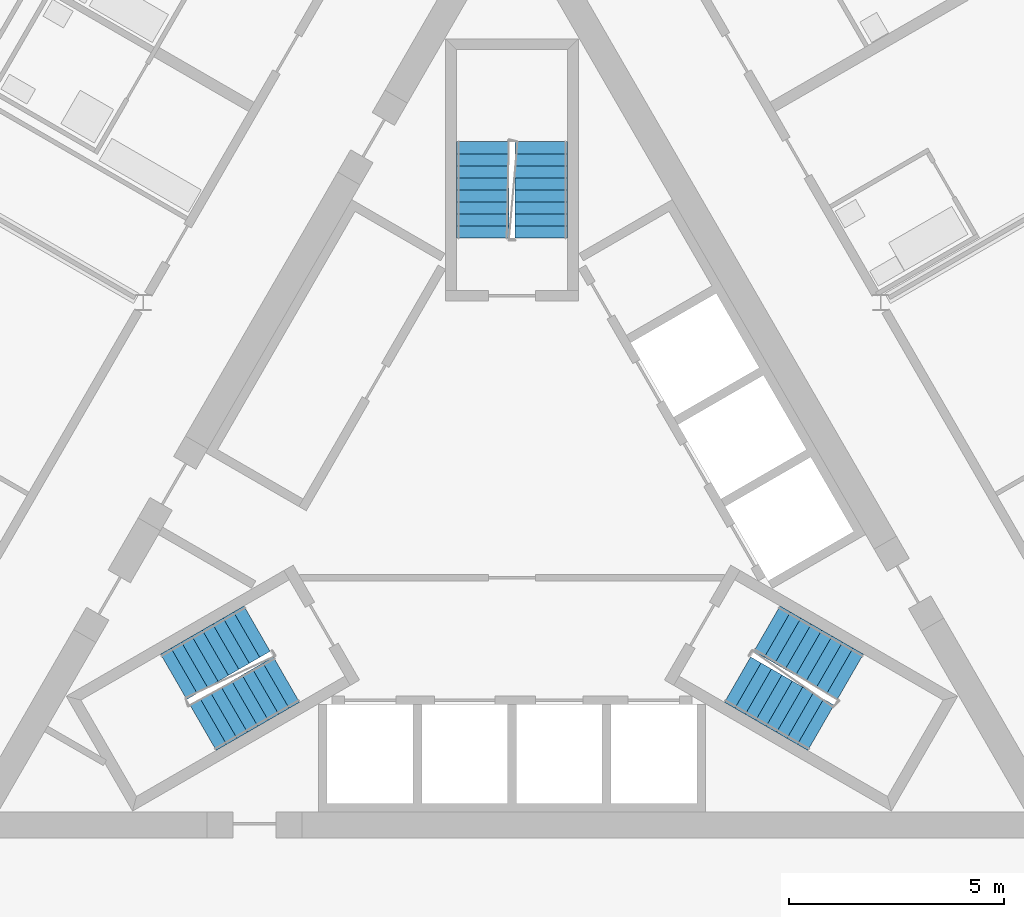
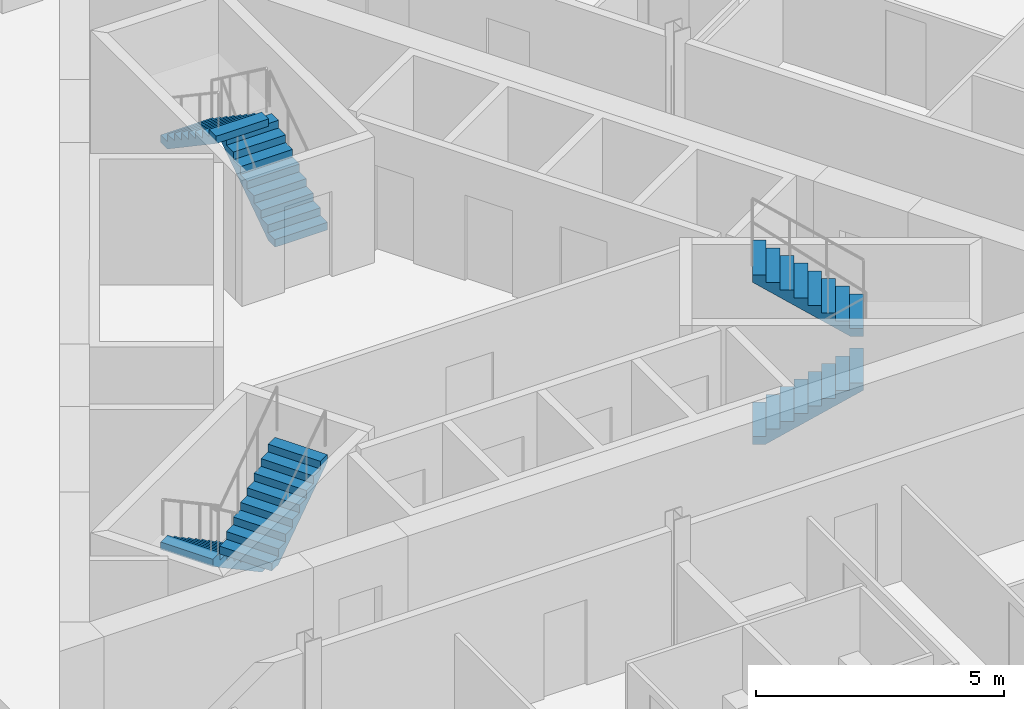
# One storey, part 18 of 26: 6 stair flights, 3 elements without a shape of their own.
"""IFC4 building model written with IfcOpenShell, lengths in metres."""

from ifc_helpers import new_model, si_unit, direction, frame, origin, place, context, subcontext, project, spatial, polyline, outline, extrude, material, type_object, element, aggregate, save


model = new_model("IFC4")

# Units and contexts
model_context = context("Model", 3, precision=1e-05, world=origin(), true_north=direction((0.0, 1.0)))
body_context = subcontext(model_context, "Body", "Model", "MODEL_VIEW")
ifc_project = project(units=[si_unit("LENGTHUNIT", "METRE"), si_unit("AREAUNIT", "SQUARE_METRE"), si_unit("VOLUMEUNIT", "CUBIC_METRE"), si_unit("PLANEANGLEUNIT", "RADIAN"), si_unit("MASSUNIT", "GRAM", prefix="KILO")], contexts=[model_context])

# Site, building, storey
site_placement = place(None, origin())
site = spatial("IfcSite", under=ifc_project, at=site_placement, CompositionType="ELEMENT")
building_placement = place(site_placement, origin())
building = spatial("IfcBuilding", under=site, at=building_placement, Name="Cormorant Prow Tower", CompositionType="ELEMENT")
storey_placement = place(building_placement, frame((0.0, 0.0, 398.39990234375)))
storey = spatial("IfcBuildingStorey", under=building, at=storey_placement, Name="L91", CompositionType="ELEMENT", Elevation=398.39990234375)

# Stair, stair flights
ifc_material_1 = material(Name="Exit stair 18 risers")
stair_type = type_object("IfcStairType", Name="Exit stair 18 risers", PredefinedType="HALF_TURN_STAIR", material=ifc_material_1)
stair_1_placement = place(storey_placement, origin())
stair_1 = element("IfcStair", 1, at=stair_1_placement, inside=storey, type_object=stair_type, Name="L91 Exit stair ST1", PredefinedType="HALF_TURN_STAIR")
ifc_material_2 = material(Name="Concrete 5000 psi", Category="concrete")
stair_flight_type = type_object("IfcStairFlightType", Name="Stair flight 1219", PredefinedType="STRAIGHT", material=ifc_material_2)
stair_flight_1_placement = place(storey_placement, frame((-5.93310546875, -2.635009765625, 0.0), z_axis=(0.0, 0.0, 1.0), x_axis=(-0.866025403784, -0.5, 0.0)))
stair_flight_1 = element("IfcStairFlight", 2, at=stair_flight_1_placement, type_object=stair_flight_type, Name="ST1 flight 1", NumberOfRisers=9, NumberOfTreads=8, PredefinedType="STRAIGHT", RiserHeight=0.188888889, TreadLength=0.28, context=body_context, shape_type="SweptSolid", body=[
    extrude(outline(polyline([(0.0, 0.0), (0.0, 0.18896484375), (0.280029296875, 0.18896484375), (0.280029296875, 0.377685546875), (0.56005859375, 0.377685546875), (0.56005859375, 0.566650390625), (0.840087890625, 0.566650390625), (0.840087890625, 0.755615234375), (1.1201171875, 0.755615234375), (1.1201171875, 0.9443359375), (1.39990234375, 0.9443359375), (1.39990234375, 1.13330078125), (1.679931640625, 1.13330078125), (1.679931640625, 1.322265625), (1.9599609375, 1.322265625), (1.9599609375, 1.51123046875), (2.239990234375, 1.51123046875), (2.239990234375, 1.699951171875), (2.239990234375, 1.330322265625), (0.26806640625, 0.0), (0.0, 0.0)])), frame((0.0, 0.609375, 0.0), z_axis=(0.0, -1.0, 0.0), x_axis=(1.0, 0.0, 0.0)), (0.0, 0.0, 1.0), 1.218994140625),
])
stair_flight_2_placement = place(storey_placement, frame((-7.1884765625, -4.940673828125, 1.7001953125), z_axis=(0.0, 0.0, 1.0), x_axis=(0.866025403784, 0.5, 0.0)))
stair_flight_2 = element("IfcStairFlight", 3, at=stair_flight_2_placement, type_object=stair_flight_type, Name="ST1 flight 2", NumberOfRisers=9, NumberOfTreads=8, PredefinedType="STRAIGHT", RiserHeight=0.188888889, TreadLength=0.28, context=body_context, shape_type="SweptSolid", body=[
    extrude(outline(polyline([(0.0, 0.0), (0.0, 0.18896484375), (0.280029296875, 0.18896484375), (0.280029296875, 0.377685546875), (0.56005859375, 0.377685546875), (0.56005859375, 0.566650390625), (0.840087890625, 0.566650390625), (0.840087890625, 0.755615234375), (1.1201171875, 0.755615234375), (1.1201171875, 0.9443359375), (1.39990234375, 0.9443359375), (1.39990234375, 1.13330078125), (1.679931640625, 1.13330078125), (1.679931640625, 1.322265625), (1.9599609375, 1.322265625), (1.9599609375, 1.51123046875), (2.239990234375, 1.51123046875), (2.239990234375, 1.699951171875), (2.239990234375, 1.330322265625), (0.26806640625, 0.0), (0.0, 0.0)])), frame((0.0, 0.609375, 0.0), z_axis=(0.0, -1.0, 0.0), x_axis=(1.0, 0.0, 0.0)), (0.0, 0.0, 1.0), 1.218994140625),
])
aggregate(stair_1, [stair_flight_1, stair_flight_2])

stair_2_placement = place(storey_placement, origin())
stair_2 = element("IfcStair", 4, at=stair_2_placement, inside=storey, type_object=stair_type, Name="L91 Exit stair ST2", PredefinedType="HALF_TURN_STAIR")
stair_flight_3_placement = place(storey_placement, frame((5.24853515625, -3.82080078125, 0.0), z_axis=(0.0, 0.0, 1.0), x_axis=(0.866025403784, -0.5, 0.0)))
stair_flight_3 = element("IfcStairFlight", 5, at=stair_flight_3_placement, type_object=stair_flight_type, Name="ST2 flight 1", NumberOfRisers=9, NumberOfTreads=8, PredefinedType="STRAIGHT", RiserHeight=0.188888889, TreadLength=0.28, context=body_context, shape_type="SweptSolid", body=[
    extrude(outline(polyline([(0.0, 0.0), (0.0, 0.18896484375), (0.280029296875, 0.18896484375), (0.280029296875, 0.377685546875), (0.56005859375, 0.377685546875), (0.56005859375, 0.566650390625), (0.840087890625, 0.566650390625), (0.840087890625, 0.755615234375), (1.1201171875, 0.755615234375), (1.1201171875, 0.9443359375), (1.39990234375, 0.9443359375), (1.39990234375, 1.13330078125), (1.679931640625, 1.13330078125), (1.679931640625, 1.322265625), (1.9599609375, 1.322265625), (1.9599609375, 1.51123046875), (2.239990234375, 1.51123046875), (2.239990234375, 1.699951171875), (2.239990234375, 1.330322265625), (0.26806640625, 0.0), (0.0, 0.0)])), frame((0.0, 0.609375, 0.0), z_axis=(0.0, -1.0, 0.0), x_axis=(1.0, 0.0, 0.0)), (0.0, 0.0, 1.0), 1.218994140625),
])
stair_flight_4_placement = place(storey_placement, frame((7.873046875, -3.755126953125, 1.7001953125), z_axis=(0.0, 0.0, 1.0), x_axis=(-0.866025403784, 0.5, 0.0)))
stair_flight_4 = element("IfcStairFlight", 6, at=stair_flight_4_placement, type_object=stair_flight_type, Name="ST2 flight 2", NumberOfRisers=9, NumberOfTreads=8, PredefinedType="STRAIGHT", RiserHeight=0.188888889, TreadLength=0.28, context=body_context, shape_type="SweptSolid", body=[
    extrude(outline(polyline([(0.0, 0.0), (0.0, 0.18896484375), (0.280029296875, 0.18896484375), (0.280029296875, 0.377685546875), (0.56005859375, 0.377685546875), (0.56005859375, 0.566650390625), (0.840087890625, 0.566650390625), (0.840087890625, 0.755615234375), (1.1201171875, 0.755615234375), (1.1201171875, 0.9443359375), (1.39990234375, 0.9443359375), (1.39990234375, 1.13330078125), (1.679931640625, 1.13330078125), (1.679931640625, 1.322265625), (1.9599609375, 1.322265625), (1.9599609375, 1.51123046875), (2.239990234375, 1.51123046875), (2.239990234375, 1.699951171875), (2.239990234375, 1.330322265625), (0.26806640625, 0.0), (0.0, 0.0)])), frame((0.0, 0.609375, 0.0), z_axis=(0.0, -1.0, 0.0), x_axis=(1.0, 0.0, 0.0)), (0.0, 0.0, 1.0), 1.218994140625),
])
aggregate(stair_2, [stair_flight_3, stair_flight_4])

stair_3_placement = place(storey_placement, origin())
stair_3 = element("IfcStair", 7, at=stair_3_placement, inside=storey, type_object=stair_type, Name="L91 Exit stair ST3", PredefinedType="HALF_TURN_STAIR")
stair_flight_5_placement = place(storey_placement, frame((0.6845703125, 6.455810546875, 0.0), z_axis=(0.0, 0.0, 1.0), x_axis=(0.0, 1.0, 0.0)))
stair_flight_5 = element("IfcStairFlight", 8, at=stair_flight_5_placement, type_object=stair_flight_type, Name="ST3 flight 1", NumberOfRisers=9, NumberOfTreads=8, PredefinedType="STRAIGHT", RiserHeight=0.188888889, TreadLength=0.28, context=body_context, shape_type="SweptSolid", body=[
    extrude(outline(polyline([(0.0, 0.0), (0.0, 0.18896484375), (0.280029296875, 0.18896484375), (0.280029296875, 0.377685546875), (0.56005859375, 0.377685546875), (0.56005859375, 0.566650390625), (0.840087890625, 0.566650390625), (0.840087890625, 0.755615234375), (1.1201171875, 0.755615234375), (1.1201171875, 0.9443359375), (1.39990234375, 0.9443359375), (1.39990234375, 1.13330078125), (1.679931640625, 1.13330078125), (1.679931640625, 1.322265625), (1.9599609375, 1.322265625), (1.9599609375, 1.51123046875), (2.239990234375, 1.51123046875), (2.239990234375, 1.699951171875), (2.239990234375, 1.330322265625), (0.26806640625, 0.0), (0.0, 0.0)])), frame((0.0, 0.609375, 0.0), z_axis=(0.0, -1.0, 0.0), x_axis=(1.0, 0.0, 0.0)), (0.0, 0.0, 1.0), 1.218994140625),
])
stair_flight_6_placement = place(storey_placement, frame((-0.6845703125, 8.69580078125, 1.7001953125), z_axis=(0.0, 0.0, 1.0), x_axis=(0.0, -1.0, 0.0)))
stair_flight_6 = element("IfcStairFlight", 9, at=stair_flight_6_placement, type_object=stair_flight_type, Name="ST3 flight 2", NumberOfRisers=9, NumberOfTreads=8, PredefinedType="STRAIGHT", RiserHeight=0.188888889, TreadLength=0.28, context=body_context, shape_type="SweptSolid", body=[
    extrude(outline(polyline([(0.0, 0.0), (0.0, 0.18896484375), (0.280029296875, 0.18896484375), (0.280029296875, 0.377685546875), (0.56005859375, 0.377685546875), (0.56005859375, 0.566650390625), (0.840087890625, 0.566650390625), (0.840087890625, 0.755615234375), (1.1201171875, 0.755615234375), (1.1201171875, 0.9443359375), (1.39990234375, 0.9443359375), (1.39990234375, 1.13330078125), (1.679931640625, 1.13330078125), (1.679931640625, 1.322265625), (1.9599609375, 1.322265625), (1.9599609375, 1.51123046875), (2.239990234375, 1.51123046875), (2.239990234375, 1.699951171875), (2.239990234375, 1.330322265625), (0.26806640625, 0.0), (0.0, 0.0)])), frame((0.0, 0.609375, 0.0), z_axis=(0.0, -1.0, 0.0), x_axis=(1.0, 0.0, 0.0)), (0.0, 0.0, 1.0), 1.218994140625),
])
aggregate(stair_3, [stair_flight_5, stair_flight_6])

save(model, "model.ifc")
